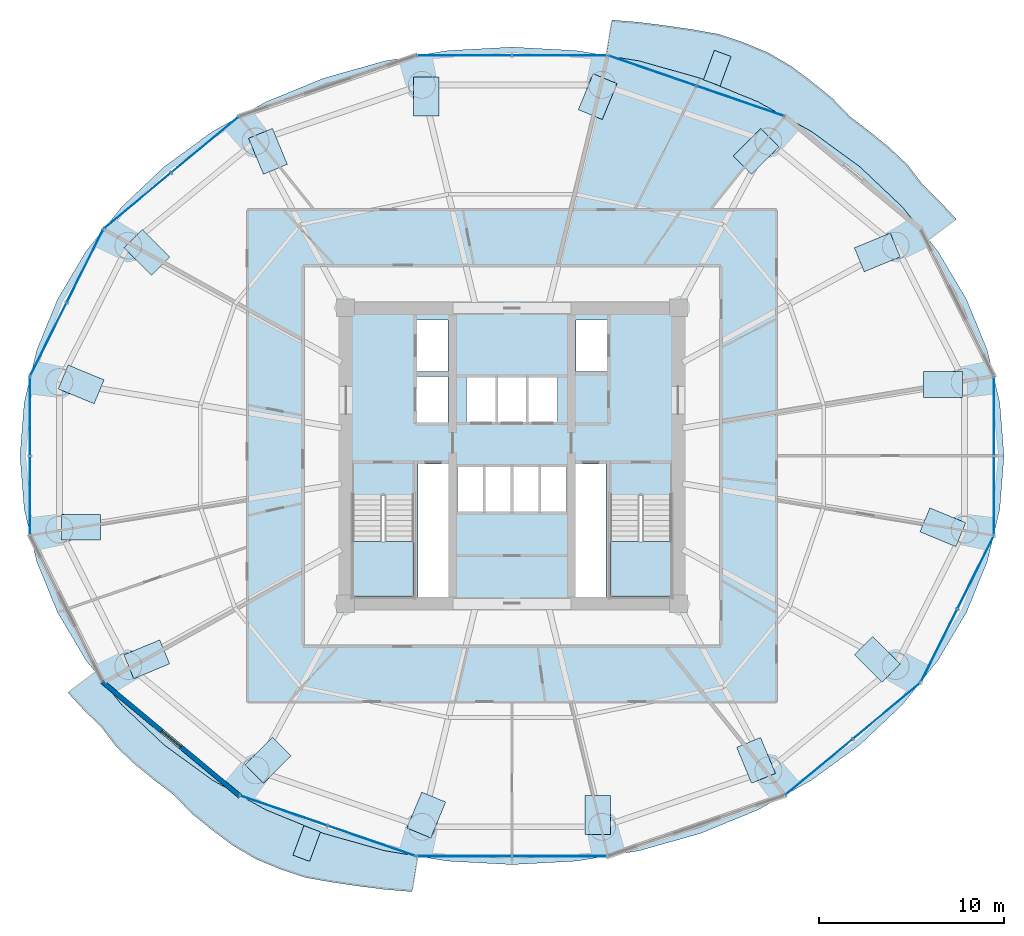
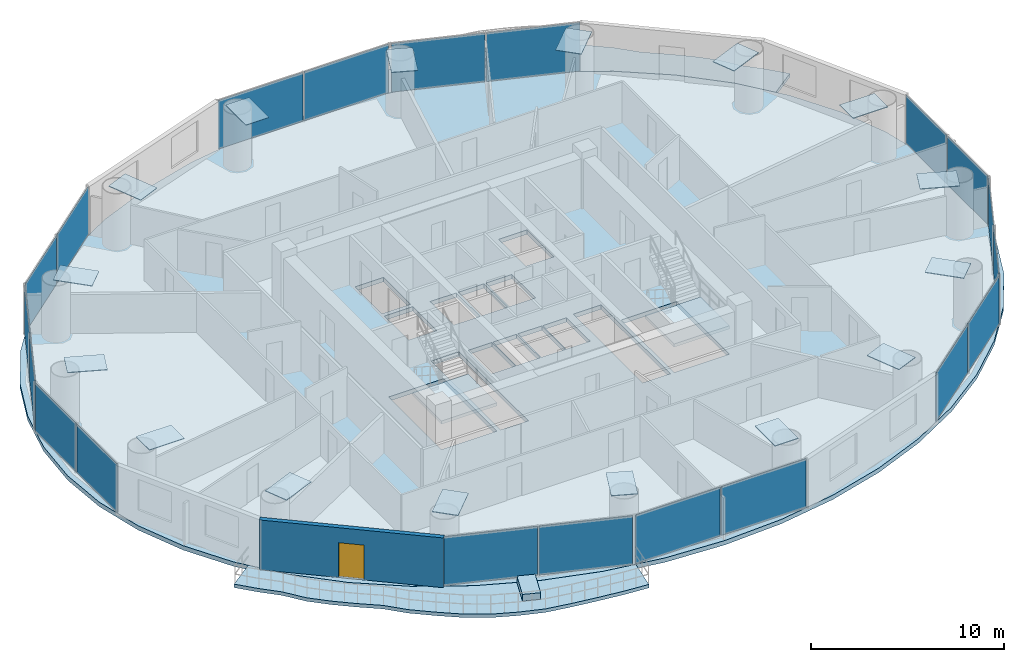
# One storey, part 21 of 29: 36 plates, 7 slabs, 1 door, 1 wall, 1 opening, 12 elements without a shape of their own.
"""IFC4 building model written with IfcOpenShell, lengths in metres."""

from ifc_helpers import new_model, si_unit, direction, frame, frame_2d, origin, origin_2d, place, context, subcontext, project, spatial, polyline, rectangle, outline, extrude, source, transform, mapped, material, layer, layer_set, type_object, element, fill, aggregate, save


model = new_model("IFC4")

# Units and contexts
model_context = context("Model", 3, precision=1e-05, world=origin(), true_north=direction((-0.2419218956, 0.970295726276)))
body_context = subcontext(model_context, "Body", "Model", "MODEL_VIEW")
ifc_project = project(units=[si_unit("LENGTHUNIT", "METRE"), si_unit("AREAUNIT", "SQUARE_METRE"), si_unit("VOLUMEUNIT", "CUBIC_METRE"), si_unit("PLANEANGLEUNIT", "RADIAN"), si_unit("MASSUNIT", "GRAM", prefix="KILO")], contexts=[model_context])

# Site, building, storey
site_placement = place(None, origin())
site = spatial("IfcSite", under=ifc_project, at=site_placement, CompositionType="ELEMENT")
building_placement = place(site_placement, origin())
building = spatial("IfcBuilding", under=site, at=building_placement, Name="Cobrevalo Terracotta Tower", CompositionType="ELEMENT")
storey_placement = place(building_placement, frame((0.0, 0.0, 126.60009765625)))
storey = spatial("IfcBuildingStorey", under=building, at=storey_placement, Name="L33", CompositionType="ELEMENT", Elevation=126.60009765625)

# Stair, slab
ifc_material_1 = material(Name="Concrete C50", Category="concrete")
stair_type = type_object("IfcStairType", Name="Core protected escape dogleg stair 1600", PredefinedType="HALF_TURN_STAIR", material=ifc_material_1)
stair_1_placement = place(storey_placement, origin())
stair_1 = element("IfcStair", 1, at=stair_1_placement, inside=storey, type_object=stair_type, Name="L33 Protected exit stair ST-1", PredefinedType="HALF_TURN_STAIR")
ifc_layer_1 = layer(ifc_material_1, 0.199951171875)
ifc_layer_set_1 = layer_set([ifc_layer_1], Name="Concrete C50")
slab_type_1 = type_object("IfcSlabType", Name="Reinforced Concrete Stair Landing 200", PredefinedType="LANDING", material=ifc_layer_set_1)
slab_1_placement = place(storey_placement, frame((0.0, 0.0, 1.599853515625)))
slab_1 = element("IfcSlab", 2, at=slab_1_placement, type_object=slab_type_1, Name="ST-1 landing 1", PredefinedType="LANDING", context=body_context, shape_type="SweptSolid", body=[
    extrude(outline(polyline([(29.375, 22.179931640625), (29.375, 19.175048828125), (32.695068359375, 19.175048828125), (32.695068359375, 22.179931640625), (29.375, 22.179931640625)])), origin(), (0.0, 0.0, 1.0), 0.199951171875),
])
aggregate(stair_1, [slab_1])

stair_2_placement = place(storey_placement, origin())
stair_2 = element("IfcStair", 3, at=stair_2_placement, inside=storey, type_object=stair_type, Name="L33 Protected exit stair ST-2", PredefinedType="HALF_TURN_STAIR")
slab_2_placement = place(storey_placement, frame((0.0, 0.0, 1.599853515625)))
slab_2 = element("IfcSlab", 4, at=slab_2_placement, type_object=slab_type_1, Name="ST-2 landing 1", PredefinedType="LANDING", context=body_context, shape_type="SweptSolid", body=[
    extrude(outline(polyline([(43.304931640625, 22.179931640625), (43.304931640625, 19.175048828125), (46.625, 19.175048828125), (46.625, 22.179931640625), (43.304931640625, 22.179931640625)])), origin(), (0.0, 0.0, 1.0), 0.199951171875),
])
aggregate(stair_2, [slab_2])

# Slabs
ifc_material_2 = material(Name="Concrete C45", Category="concrete")
ifc_layer_2 = layer(ifc_material_2, 0.219970703125)
ifc_layer_set_2 = layer_set([ifc_layer_2], Name="Concrete C45")
slab_type_2 = type_object("IfcSlabType", Name="Spiralling cantilevered balcony lobe slab 220 mm", PredefinedType="FLOOR", material=ifc_layer_set_2)
slab_3_placement = place(storey_placement, frame((0.0, 0.0, -0.22021484375)))
element("IfcSlab", 5, at=slab_3_placement, inside=storey, type_object=slab_type_2, Name="L33 spiralling arc balcony slab lobe 1", PredefinedType="FLOOR", context=body_context, shape_type="SweptSolid", body=[
    extrude(outline(polyline([(62.021728515625, 39.586181640625), (61.1376953125, 40.552978515625), (60.20166015625, 41.4609375), (59.392333984375, 42.528076171875), (58.423828125, 43.443359375), (57.383544921875, 44.2958984375), (56.299072265625, 45.1162109375), (55.330810546875, 46.1201171875), (54.232666015625, 47.013427734375), (53.091064453125, 47.869140625), (51.85693359375, 48.592041015625), (50.52490234375, 49.145751953125), (49.159423828125, 49.6005859375), (47.7197265625, 49.856689453125), (46.2802734375, 50.06396484375), (44.84765625, 50.24658203125), (43.40380859375, 50.3642578125), (43.092041015625, 48.4453125), (44.885009765625, 48.14892578125), (48.18017578125, 47.219482421875), (51.301025390625, 45.94091796875), (54.1943359375, 44.334716796875), (56.810546875, 42.428466796875), (59.104736328125, 40.2548828125), (60.537841796875, 38.472900390625), (62.021728515625, 39.586181640625)])), origin(), (0.0, 0.0, 1.0), 0.22021484375),
])
slab_4_placement = place(storey_placement, frame((0.0, 0.0, -0.22021484375)))
element("IfcSlab", 6, at=slab_4_placement, inside=storey, type_object=slab_type_2, Name="L33 spiralling arc balcony slab lobe 2", PredefinedType="FLOOR", context=body_context, shape_type="SweptSolid", body=[
    extrude(outline(polyline([(13.978271484375, 14.013671875), (14.8623046875, 13.047119140625), (15.79833984375, 12.13916015625), (16.607666015625, 11.072021484375), (17.576171875, 10.15673828125), (18.616455078125, 9.303955078125), (19.700927734375, 8.48388671875), (20.669189453125, 7.47998046875), (21.767333984375, 6.586669921875), (22.908935546875, 5.730712890625), (24.14306640625, 5.008056640625), (25.47509765625, 4.4541015625), (26.840576171875, 3.999267578125), (28.2802734375, 3.743408203125), (29.7197265625, 3.5361328125), (31.15234375, 3.353515625), (32.59619140625, 3.235595703125), (32.907958984375, 5.15478515625), (31.114990234375, 5.451171875), (27.81982421875, 6.38037109375), (24.698974609375, 7.6591796875), (21.8056640625, 9.265380859375), (19.189453125, 11.171630859375), (16.895263671875, 13.34521484375), (15.462158203125, 15.126953125), (13.978271484375, 14.013671875)])), origin(), (0.0, 0.0, 1.0), 0.22021484375),
])
ifc_material_3 = material(Name="Precast concrete C45", Category="concrete")
ifc_layer_3 = layer(ifc_material_3, 0.419921875)
ifc_layer_set_3 = layer_set([ifc_layer_3], Name="Precast concrete C45")
slab_type_3 = type_object("IfcSlabType", Name="Structural tree planter trough base 420 mm", PredefinedType="USERDEFINED", material=ifc_layer_set_3)
slab_5_placement = place(storey_placement, origin())
element("IfcSlab", 7, at=slab_5_placement, inside=storey, type_object=slab_type_3, Name="L33 structural tree planter trough 1", ObjectType="PLANTER", PredefinedType="USERDEFINED", context=body_context, shape_type="SweptSolid", body=[
    extrude(outline(polyline([(49.252685546875, 46.797119140625), (49.842041015625, 48.3916015625), (48.941650390625, 48.724609375), (48.352294921875, 47.1298828125), (49.252685546875, 46.797119140625)])), origin(), (0.0, 0.0, 1.0), 0.419921875),
])
slab_6_placement = place(storey_placement, origin())
element("IfcSlab", 8, at=slab_6_placement, inside=storey, type_object=slab_type_3, Name="L33 structural tree planter trough 2", ObjectType="PLANTER", PredefinedType="USERDEFINED", context=body_context, shape_type="SweptSolid", body=[
    extrude(outline(polyline([(26.747314453125, 6.802978515625), (26.157958984375, 5.208251953125), (27.058349609375, 4.87548828125), (27.647705078125, 6.469970703125), (26.747314453125, 6.802978515625)])), origin(), (0.0, 0.0, 1.0), 0.419921875),
])
ifc_layer_4 = layer(ifc_material_1, 0.27490234375)
ifc_layer_set_4 = layer_set([ifc_layer_4], Name="Concrete C50")
slab_type_4 = type_object("IfcSlabType", Name="Zone Z2 elliptical floor plate 275 mm", PredefinedType="FLOOR", material=ifc_layer_set_4)
slab_7_placement = place(storey_placement, frame((0.0, 0.0, -0.275146484375)))
element("IfcSlab", 9, at=slab_7_placement, inside=storey, type_object=slab_type_4, Name="L33 indoor elliptical floor slab", PredefinedType="FLOOR", context=body_context, shape_type="SweptSolid", body=[
    extrude(outline(polyline([(64.372314453125, 23.915283203125), (63.693603515625, 21.080078125), (62.5751953125, 18.3427734375), (61.036376953125, 15.75), (59.103271484375, 13.346435546875), (56.80908203125, 11.1728515625), (54.193115234375, 9.266845703125), (51.300048828125, 7.660888671875), (48.179443359375, 6.38232421875), (44.884521484375, 5.453125), (41.471923828125, 4.88916015625), (38.0, 4.699951171875), (34.528076171875, 4.88916015625), (31.115478515625, 5.453125), (27.820556640625, 6.38232421875), (24.699951171875, 7.660888671875), (21.806884765625, 9.266845703125), (19.19091796875, 11.1728515625), (16.896728515625, 13.346435546875), (14.963623046875, 15.75), (13.4248046875, 18.3427734375), (12.306396484375, 21.080078125), (11.627685546875, 23.915283203125), (11.39990234375, 26.800048828125), (11.627685546875, 29.6845703125), (12.306396484375, 32.52001953125), (13.4248046875, 35.25732421875), (14.963623046875, 37.85009765625), (16.896728515625, 40.253662109375), (19.19091796875, 42.427001953125), (21.806884765625, 44.3330078125), (24.699951171875, 45.939208984375), (27.820556640625, 47.2177734375), (31.115478515625, 48.14697265625), (34.528076171875, 48.7109375), (38.0, 48.89990234375), (41.471923828125, 48.7109375), (44.884521484375, 48.14697265625), (48.179443359375, 47.2177734375), (51.300048828125, 45.939208984375), (54.193115234375, 44.3330078125), (56.80908203125, 42.427001953125), (59.103271484375, 40.253662109375), (61.036376953125, 37.85009765625), (62.5751953125, 35.25732421875), (63.693603515625, 32.52001953125), (64.372314453125, 29.6845703125), (64.60009765625, 26.800048828125), (64.372314453125, 23.915283203125)]), holes=[polyline([(32.695068359375, 19.175048828125), (32.695068359375, 24.659912109375), (29.375, 24.659912109375), (29.375, 19.175048828125), (32.695068359375, 19.175048828125)]), polyline([(34.574951171875, 19.175048828125), (34.574951171875, 26.360107421875), (32.919921875, 26.360107421875), (32.919921875, 19.175048828125), (34.574951171875, 19.175048828125)]), polyline([(36.47998046875, 23.800048828125), (36.47998046875, 26.25), (35.050048828125, 26.25), (35.050048828125, 23.800048828125), (36.47998046875, 23.800048828125)]), polyline([(37.9599609375, 23.800048828125), (37.9599609375, 26.25), (36.530029296875, 26.25), (36.530029296875, 23.800048828125), (37.9599609375, 23.800048828125)]), polyline([(37.1201171875, 28.60009765625), (37.1201171875, 31.050048828125), (35.550048828125, 31.050048828125), (35.550048828125, 28.60009765625), (37.1201171875, 28.60009765625)]), polyline([(34.550048828125, 28.60009765625), (34.550048828125, 31.10009765625), (32.85009765625, 31.10009765625), (32.85009765625, 28.60009765625), (34.550048828125, 28.60009765625)]), polyline([(34.550048828125, 31.35009765625), (34.550048828125, 34.14990234375), (32.85009765625, 34.14990234375), (32.85009765625, 31.35009765625), (34.550048828125, 31.35009765625)]), polyline([(46.625, 19.175048828125), (46.625, 24.659912109375), (43.304931640625, 24.659912109375), (43.304931640625, 19.175048828125), (46.625, 19.175048828125)]), polyline([(43.080078125, 19.175048828125), (43.080078125, 26.360107421875), (41.425048828125, 26.360107421875), (41.425048828125, 19.175048828125), (43.080078125, 19.175048828125)]), polyline([(39.469970703125, 23.800048828125), (39.469970703125, 26.25), (38.0400390625, 26.25), (38.0400390625, 23.800048828125), (39.469970703125, 23.800048828125)]), polyline([(40.949951171875, 23.800048828125), (40.949951171875, 26.25), (39.52001953125, 26.25), (39.52001953125, 23.800048828125), (40.949951171875, 23.800048828125)]), polyline([(38.780029296875, 28.60009765625), (38.780029296875, 31.050048828125), (37.219970703125, 31.050048828125), (37.219970703125, 28.60009765625), (38.780029296875, 28.60009765625)]), polyline([(40.449951171875, 28.60009765625), (40.449951171875, 31.050048828125), (38.8798828125, 31.050048828125), (38.8798828125, 28.60009765625), (40.449951171875, 28.60009765625)]), polyline([(43.14990234375, 31.35009765625), (43.14990234375, 34.14990234375), (41.449951171875, 34.14990234375), (41.449951171875, 31.35009765625), (43.14990234375, 31.35009765625)])]), origin(), (0.0, 0.0, 1.0), 0.275146484375),
])

# Plates
ifc_material_4 = material(Name="Steel S355", Category="steel")
ifc_layer_5 = layer(ifc_material_4, 0.044921875)
ifc_layer_set_5 = layer_set([ifc_layer_5], Name="Steel S355")
plate_type_1 = type_object("IfcPlateType", Name="Structural Cap Plate 2100x1400x45 (Steel S355)", PredefinedType="USERDEFINED", material=ifc_layer_set_5)
shared_shape_1 = source(origin(), body_context, "Body", "SweptSolid", [
    extrude(rectangle(XDim=2.10009765625, YDim=1.39990234375, at=origin_2d()), origin(), (0.0, 0.0, 1.0), 0.044921875),
])
for number, where, z_axis, x_axis, name in (
    (10, (61.293701171875, 30.662841796875, 3.577392578125), (0.0, 0.0, 1.0), (1.0, 0.0, 0.0), "L33 hollow end cap plate CAP-MCT-L33-01"),
    (11, (57.747314453125, 37.80029296875, 3.577392578125), (0.0, 0.0, 1.0), (0.923879532511, 0.382683432365, 0.0), "L33 hollow end cap plate CAP-MCT-L33-02"),
    (12, (51.19482421875, 43.26318359375, 3.577392578125), (0.0, 0.0, 1.0), (0.707106781187, 0.707106781187, 0.0), "L33 hollow end cap plate CAP-MCT-L33-03"),
    (13, (42.63330078125, 46.219482421875, 3.577392578125), (0.0, 0.0, 1.0), (0.382683432365, 0.923879532511, 0.0), "L33 hollow end cap plate CAP-MCT-L33-04"),
    (14, (33.36669921875, 46.219482421875, 3.577392578125), (0.0, 0.0, 1.0), (0.0, 1.0, 0.0), "L33 hollow end cap plate CAP-MCT-L33-05"),
    (15, (24.80517578125, 43.26318359375, 3.577392578125), (0.0, 0.0, 1.0), (-0.382683432365, 0.923879532511, 0.0), "L33 hollow end cap plate CAP-MCT-L33-06"),
    (16, (18.252685546875, 37.80029296875, 3.577392578125), (0.0, 0.0, 1.0), (-0.707106781187, 0.707106781187, 0.0), "L33 hollow end cap plate CAP-MCT-L33-07"),
    (17, (14.706298828125, 30.662841796875, 3.577392578125), (0.0, 0.0, 1.0), (-0.923879532511, 0.382683432365, 0.0), "L33 hollow end cap plate CAP-MCT-L33-08"),
    (18, (14.706298828125, 22.937255859375, 3.577392578125), (0.0, 0.0, 1.0), (-1.0, 0.0, 0.0), "L33 hollow end cap plate CAP-MCT-L33-09"),
    (19, (18.252685546875, 15.7998046875, 3.577392578125), (0.0, 0.0, 1.0), (-0.923879532511, -0.382683432365, 0.0), "L33 hollow end cap plate CAP-MCT-L33-10"),
    (20, (24.80517578125, 10.3369140625, 3.577392578125), (0.0, 0.0, 1.0), (-0.707106781187, -0.707106781187, 0.0), "L33 hollow end cap plate CAP-MCT-L33-11"),
    (21, (33.36669921875, 7.38037109375, 3.577392578125), (0.0, 0.0, 1.0), (-0.382683432365, -0.923879532511, 0.0), "L33 hollow end cap plate CAP-MCT-L33-12"),
    (22, (42.63330078125, 7.38037109375, 3.577392578125), (0.0, 0.0, 1.0), (0.0, -1.0, 0.0), "L33 hollow end cap plate CAP-MCT-L33-13"),
    (23, (51.19482421875, 10.3369140625, 3.577392578125), (0.0, 0.0, 1.0), (0.382683432365, -0.923879532511, 0.0), "L33 hollow end cap plate CAP-MCT-L33-14"),
    (24, (57.747314453125, 15.7998046875, 3.577392578125), (0.0, 0.0, 1.0), (0.707106781187, -0.707106781187, 0.0), "L33 hollow end cap plate CAP-MCT-L33-15"),
    (25, (61.293701171875, 22.937255859375, 3.577392578125), (0.0, 0.0, 1.0), (0.923879532511, -0.382683432365, 0.0), "L33 hollow end cap plate CAP-MCT-L33-16"),
):
    element("IfcPlate", number, at=place(storey_placement, frame(where, z_axis=z_axis, x_axis=x_axis)), inside=storey, type_object=plate_type_1, Name=name, ObjectType="CAP PLATE", PredefinedType="USERDEFINED", context=body_context, shape_type="MappedRepresentation", body=[
        mapped(shared_shape_1, transform((0.0, 0.0, 0.0), scale=1.0)),
    ])

# Curtain wall, plates
ifc_material_5 = material(Name="Anodized aluminium", Category="aluminium")
curtain_wall_type = type_object("IfcCurtainWallType", Name="Lower-tower unitised acoustic low-E curtain wall CW-U1", PredefinedType="NOTDEFINED", material=ifc_material_5)
curtain_wall_1_placement = place(storey_placement, origin())
curtain_wall_1 = element("IfcCurtainWall", 26, at=curtain_wall_1_placement, inside=storey, type_object=curtain_wall_type, Name="L33 curtain wall CW-L33-S03", PredefinedType="NOTDEFINED")
ifc_material_6 = material(Name="Solar-control low-E double glazing", Category="glass")
ifc_layer_6 = layer(ifc_material_6, 0.028076171875)
ifc_layer_set_6 = layer_set([ifc_layer_6], Name="Solar-control low-E double glazing")
plate_type_2 = type_object("IfcPlateType", Name="Tower solar-control low-E vision glass panel 28 mm", PredefinedType="CURTAIN_PANEL", material=ifc_layer_set_6)
shared_shape_2 = source(origin(), body_context, "Body", "SweptSolid", [
    extrude(rectangle(XDim=4.944580078125, YDim=0.035888671875, at=origin_2d()), origin(), (0.0, 0.0, 1.0), 3.070068359375),
])
plate_1_placement = place(storey_placement, frame((50.34814453125, 45.98095703125, 0.0400390625), z_axis=(0.0, 0.0, 1.0), x_axis=(-0.945596395206, 0.325342062104, 0.0)))
plate_1 = element("IfcPlate", 27, at=plate_1_placement, type_object=plate_type_2, Name="CW-L33-S03 glazing panel B01", PredefinedType="CURTAIN_PANEL", context=body_context, shape_type="MappedRepresentation", body=[
    mapped(shared_shape_2, transform((0.0, 0.0, 0.0), scale=1.0)),
])
plate_2_placement = place(storey_placement, frame((45.596923828125, 47.615478515625, 0.0400390625), z_axis=(0.0, 0.0, 1.0), x_axis=(-0.945596395206, 0.325342062104, 0.0)))
plate_2 = element("IfcPlate", 28, at=plate_2_placement, type_object=plate_type_2, Name="CW-L33-S03 glazing panel B02", PredefinedType="CURTAIN_PANEL", context=body_context, shape_type="MappedRepresentation", body=[
    mapped(shared_shape_2, transform((0.0, 0.0, 0.0), scale=1.0)),
])
aggregate(curtain_wall_1, [plate_1, plate_2])

curtain_wall_2_placement = place(storey_placement, origin())
curtain_wall_2 = element("IfcCurtainWall", 29, at=curtain_wall_2_placement, inside=storey, type_object=curtain_wall_type, Name="L33 curtain wall CW-L33-S11", PredefinedType="NOTDEFINED")
plate_3_placement = place(storey_placement, frame((25.65185546875, 7.619140625, 0.0400390625), z_axis=(0.0, 0.0, 1.0), x_axis=(0.945596395206, -0.325342062104, 0.0)))
plate_3 = element("IfcPlate", 30, at=plate_3_placement, type_object=plate_type_2, Name="CW-L33-S11 glazing panel B01", PredefinedType="CURTAIN_PANEL", context=body_context, shape_type="MappedRepresentation", body=[
    mapped(shared_shape_2, transform((0.0, 0.0, 0.0), scale=1.0)),
])
plate_4_placement = place(storey_placement, frame((30.403076171875, 5.984375, 0.0400390625), z_axis=(0.0, 0.0, 1.0), x_axis=(0.945596395206, -0.325342062104, 0.0)))
plate_4 = element("IfcPlate", 31, at=plate_4_placement, type_object=plate_type_2, Name="CW-L33-S11 glazing panel B02", PredefinedType="CURTAIN_PANEL", context=body_context, shape_type="MappedRepresentation", body=[
    mapped(shared_shape_2, transform((0.0, 0.0, 0.0), scale=1.0)),
])
aggregate(curtain_wall_2, [plate_3, plate_4])

curtain_wall_3_placement = place(storey_placement, origin())
curtain_wall_3 = element("IfcCurtainWall", 32, at=curtain_wall_3_placement, inside=storey, type_object=curtain_wall_type, Name="L33 curtain wall CW-L33-S04", PredefinedType="NOTDEFINED")
shared_shape_3 = source(origin(), body_context, "Body", "SweptSolid", [
    extrude(rectangle(XDim=5.0634765625, YDim=0.035888671875, at=origin_2d()), origin(), (0.0, 0.0, 1.0), 3.070068359375),
])
plate_5_placement = place(storey_placement, frame((40.57177734375, 48.446044921875, 0.0400390625), z_axis=(0.0, 0.0, 1.0), x_axis=(-1.0, 0.0, 0.0)))
plate_5 = element("IfcPlate", 33, at=plate_5_placement, type_object=plate_type_2, Name="CW-L33-S04 glazing panel B01", PredefinedType="CURTAIN_PANEL", context=body_context, shape_type="MappedRepresentation", body=[
    mapped(shared_shape_3, transform((0.0, 0.0, 0.0), scale=1.0)),
])
plate_6_placement = place(storey_placement, frame((35.42822265625, 48.446044921875, 0.0400390625), z_axis=(0.0, 0.0, 1.0), x_axis=(-1.0, 0.0, 0.0)))
plate_6 = element("IfcPlate", 34, at=plate_6_placement, type_object=plate_type_2, Name="CW-L33-S04 glazing panel B02", PredefinedType="CURTAIN_PANEL", context=body_context, shape_type="MappedRepresentation", body=[
    mapped(shared_shape_3, transform((0.0, 0.0, 0.0), scale=1.0)),
])
aggregate(curtain_wall_3, [plate_5, plate_6])

curtain_wall_4_placement = place(storey_placement, origin())
curtain_wall_4 = element("IfcCurtainWall", 35, at=curtain_wall_4_placement, inside=storey, type_object=curtain_wall_type, Name="L33 curtain wall CW-L33-S12", PredefinedType="NOTDEFINED")
plate_7_placement = place(storey_placement, frame((35.42822265625, 5.154052734375, 0.0400390625), z_axis=(0.0, 0.0, 1.0), x_axis=(1.0, 0.0, 0.0)))
plate_7 = element("IfcPlate", 36, at=plate_7_placement, type_object=plate_type_2, Name="CW-L33-S12 glazing panel B01", PredefinedType="CURTAIN_PANEL", context=body_context, shape_type="MappedRepresentation", body=[
    mapped(shared_shape_3, transform((0.0, 0.0, 0.0), scale=1.0)),
])
plate_8_placement = place(storey_placement, frame((40.57177734375, 5.154052734375, 0.0400390625), z_axis=(0.0, 0.0, 1.0), x_axis=(1.0, 0.0, 0.0)))
plate_8 = element("IfcPlate", 37, at=plate_8_placement, type_object=plate_type_2, Name="CW-L33-S12 glazing panel B02", PredefinedType="CURTAIN_PANEL", context=body_context, shape_type="MappedRepresentation", body=[
    mapped(shared_shape_3, transform((0.0, 0.0, 0.0), scale=1.0)),
])
aggregate(curtain_wall_4, [plate_7, plate_8])

curtain_wall_5_placement = place(storey_placement, origin())
curtain_wall_5 = element("IfcCurtainWall", 38, at=curtain_wall_5_placement, inside=storey, type_object=curtain_wall_type, Name="L33 curtain wall CW-L33-S06", PredefinedType="NOTDEFINED")
shared_shape_4 = source(origin(), body_context, "Body", "SweptSolid", [
    extrude(rectangle(XDim=4.64501953125, YDim=0.035888671875, at=origin_2d()), origin(), (0.0, 0.0, 1.0), 3.070068359375),
])
plate_9_placement = place(storey_placement, frame((21.390380859375, 43.615478515625, 0.0400390625), z_axis=(0.0, 0.0, 1.0), x_axis=(-0.769241221277, -0.638958483384, 0.0)))
plate_9 = element("IfcPlate", 39, at=plate_9_placement, type_object=plate_type_2, Name="CW-L33-S06 glazing panel B01", PredefinedType="CURTAIN_PANEL", context=body_context, shape_type="MappedRepresentation", body=[
    mapped(shared_shape_4, transform((0.0, 0.0, 0.0), scale=1.0)),
])
plate_10_placement = place(storey_placement, frame((17.755859375, 40.596435546875, 0.0400390625), z_axis=(0.0, 0.0, 1.0), x_axis=(-0.769241221277, -0.638958483384, 0.0)))
plate_10 = element("IfcPlate", 40, at=plate_10_placement, type_object=plate_type_2, Name="CW-L33-S06 glazing panel B02", PredefinedType="CURTAIN_PANEL", context=body_context, shape_type="MappedRepresentation", body=[
    mapped(shared_shape_4, transform((0.0, 0.0, 0.0), scale=1.0)),
])
aggregate(curtain_wall_5, [plate_9, plate_10])

curtain_wall_6_placement = place(storey_placement, origin())
curtain_wall_6 = element("IfcCurtainWall", 41, at=curtain_wall_6_placement, inside=storey, type_object=curtain_wall_type, Name="L33 curtain wall CW-L33-S14", PredefinedType="NOTDEFINED")
plate_11_placement = place(storey_placement, frame((54.609619140625, 9.984619140625, 0.0400390625), z_axis=(0.0, 0.0, 1.0), x_axis=(0.769241221277, 0.638958483384, 0.0)))
plate_11 = element("IfcPlate", 42, at=plate_11_placement, type_object=plate_type_2, Name="CW-L33-S14 glazing panel B01", PredefinedType="CURTAIN_PANEL", context=body_context, shape_type="MappedRepresentation", body=[
    mapped(shared_shape_4, transform((0.0, 0.0, 0.0), scale=1.0)),
])
plate_12_placement = place(storey_placement, frame((58.244140625, 13.00341796875, 0.0400390625), z_axis=(0.0, 0.0, 1.0), x_axis=(0.769241221277, 0.638958483384, 0.0)))
plate_12 = element("IfcPlate", 43, at=plate_12_placement, type_object=plate_type_2, Name="CW-L33-S14 glazing panel B02", PredefinedType="CURTAIN_PANEL", context=body_context, shape_type="MappedRepresentation", body=[
    mapped(shared_shape_4, transform((0.0, 0.0, 0.0), scale=1.0)),
])
aggregate(curtain_wall_6, [plate_11, plate_12])

curtain_wall_7_placement = place(storey_placement, origin())
curtain_wall_7 = element("IfcCurtainWall", 44, at=curtain_wall_7_placement, inside=storey, type_object=curtain_wall_type, Name="L33 curtain wall CW-L33-S07", PredefinedType="NOTDEFINED")
shared_shape_5 = source(origin(), body_context, "Body", "SweptSolid", [
    extrude(rectangle(XDim=4.3251953125, YDim=0.035888671875, at=origin_2d()), origin(), (0.0, 0.0, 1.0), 3.070068359375),
])
plate_13_placement = place(storey_placement, frame((14.906982421875, 37.0546875, 0.0400390625), z_axis=(0.0, 0.0, 1.0), x_axis=(-0.446261852127, -0.894902430065, 0.0)))
plate_13 = element("IfcPlate", 45, at=plate_13_placement, type_object=plate_type_2, Name="CW-L33-S07 glazing panel B01", PredefinedType="CURTAIN_PANEL", context=body_context, shape_type="MappedRepresentation", body=[
    mapped(shared_shape_5, transform((0.0, 0.0, 0.0), scale=1.0)),
])
plate_14_placement = place(storey_placement, frame((12.94140625, 33.112548828125, 0.0400390625), z_axis=(0.0, 0.0, 1.0), x_axis=(-0.446261852127, -0.894902430065, 0.0)))
plate_14 = element("IfcPlate", 46, at=plate_14_placement, type_object=plate_type_2, Name="CW-L33-S07 glazing panel B02", PredefinedType="CURTAIN_PANEL", context=body_context, shape_type="MappedRepresentation", body=[
    mapped(shared_shape_5, transform((0.0, 0.0, 0.0), scale=1.0)),
])
aggregate(curtain_wall_7, [plate_13, plate_14])

curtain_wall_8_placement = place(storey_placement, origin())
curtain_wall_8 = element("IfcCurtainWall", 47, at=curtain_wall_8_placement, inside=storey, type_object=curtain_wall_type, Name="L33 curtain wall CW-L33-S15", PredefinedType="NOTDEFINED")
plate_15_placement = place(storey_placement, frame((61.093017578125, 16.54541015625, 0.0400390625), z_axis=(0.0, 0.0, 1.0), x_axis=(0.446261852127, 0.894902430065, 0.0)))
plate_15 = element("IfcPlate", 48, at=plate_15_placement, type_object=plate_type_2, Name="CW-L33-S15 glazing panel B01", PredefinedType="CURTAIN_PANEL", context=body_context, shape_type="MappedRepresentation", body=[
    mapped(shared_shape_5, transform((0.0, 0.0, 0.0), scale=1.0)),
])
plate_16_placement = place(storey_placement, frame((63.05859375, 20.487548828125, 0.0400390625), z_axis=(0.0, 0.0, 1.0), x_axis=(0.446261852127, 0.894902430065, 0.0)))
plate_16 = element("IfcPlate", 49, at=plate_16_placement, type_object=plate_type_2, Name="CW-L33-S15 glazing panel B02", PredefinedType="CURTAIN_PANEL", context=body_context, shape_type="MappedRepresentation", body=[
    mapped(shared_shape_5, transform((0.0, 0.0, 0.0), scale=1.0)),
])
aggregate(curtain_wall_8, [plate_15, plate_16])

curtain_wall_9_placement = place(storey_placement, origin())
curtain_wall_9 = element("IfcCurtainWall", 50, at=curtain_wall_9_placement, inside=storey, type_object=curtain_wall_type, Name="L33 curtain wall CW-L33-S08", PredefinedType="NOTDEFINED")
shared_shape_6 = source(origin(), body_context, "Body", "SweptSolid", [
    extrude(rectangle(XDim=4.185546875, YDim=0.035888671875, at=origin_2d()), origin(), (0.0, 0.0, 1.0), 3.070068359375),
])
plate_17_placement = place(storey_placement, frame((11.9404296875, 28.932861328125, 0.0400390625), z_axis=(0.0, 0.0, 1.0), x_axis=(0.0, -1.0, 0.0)))
plate_17 = element("IfcPlate", 51, at=plate_17_placement, type_object=plate_type_2, Name="CW-L33-S08 glazing panel B01", PredefinedType="CURTAIN_PANEL", context=body_context, shape_type="MappedRepresentation", body=[
    mapped(shared_shape_6, transform((0.0, 0.0, 0.0), scale=1.0)),
])
plate_18_placement = place(storey_placement, frame((11.9404296875, 24.667236328125, 0.0400390625), z_axis=(0.0, 0.0, 1.0), x_axis=(0.0, -1.0, 0.0)))
plate_18 = element("IfcPlate", 52, at=plate_18_placement, type_object=plate_type_2, Name="CW-L33-S08 glazing panel B02", PredefinedType="CURTAIN_PANEL", context=body_context, shape_type="MappedRepresentation", body=[
    mapped(shared_shape_6, transform((0.0, 0.0, 0.0), scale=1.0)),
])
aggregate(curtain_wall_9, [plate_17, plate_18])

curtain_wall_10_placement = place(storey_placement, origin())
curtain_wall_10 = element("IfcCurtainWall", 53, at=curtain_wall_10_placement, inside=storey, type_object=curtain_wall_type, Name="L33 curtain wall CW-L33-S16", PredefinedType="NOTDEFINED")
plate_19_placement = place(storey_placement, frame((64.0595703125, 24.667236328125, 0.0400390625), z_axis=(0.0, 0.0, 1.0), x_axis=(0.0, 1.0, 0.0)))
plate_19 = element("IfcPlate", 54, at=plate_19_placement, type_object=plate_type_2, Name="CW-L33-S16 glazing panel B01", PredefinedType="CURTAIN_PANEL", context=body_context, shape_type="MappedRepresentation", body=[
    mapped(shared_shape_6, transform((0.0, 0.0, 0.0), scale=1.0)),
])
plate_20_placement = place(storey_placement, frame((64.0595703125, 28.932861328125, 0.0400390625), z_axis=(0.0, 0.0, 1.0), x_axis=(0.0, 1.0, 0.0)))
plate_20 = element("IfcPlate", 55, at=plate_20_placement, type_object=plate_type_2, Name="CW-L33-S16 glazing panel B02", PredefinedType="CURTAIN_PANEL", context=body_context, shape_type="MappedRepresentation", body=[
    mapped(shared_shape_6, transform((0.0, 0.0, 0.0), scale=1.0)),
])
aggregate(curtain_wall_10, [plate_19, plate_20])

# Wall, opening, door
ifc_material_7 = material(Name="Autoclaved aerated concrete block", Category="concrete")
ifc_layer_7 = layer(ifc_material_7, 0.260009765625)
ifc_layer_set_7 = layer_set([ifc_layer_7], Name="Autoclaved aerated concrete block")
wall_type = type_object("IfcWallType", Name="Recessed balcony loggia insulated exterior wall 260 mm", PredefinedType="SOLIDWALL", material=ifc_layer_set_7)
wall_placement = place(storey_placement, frame((15.84619140625, 14.589599609375, 0.0), z_axis=(0.0, 0.0, 1.0), x_axis=(0.769254958887, -0.638941944333, 0.0)))
wall = element("IfcWall", 56, at=wall_placement, inside=storey, type_object=wall_type, Name="L33 balcony loggia wall S10", PredefinedType="SOLIDWALL", context=body_context, shape_type="SweptSolid", body=[
    extrude(rectangle(XDim=9.689697265625, YDim=0.260009765625, at=frame_2d((4.8447265625, 0.0))), origin(), (0.0, 0.0, 1.0), 3.14990234375),
])
opening_placement = place(wall_placement, frame((4.169921875, 0.0, 0.0)))
opening = element("IfcOpeningElement", 57, at=opening_placement, cuts=wall, Name="Opening ED-05", PredefinedType="OPENING", context=body_context, shape_type="SweptSolid", body=[
    extrude(rectangle(XDim=1.35009765625, YDim=2.199951171875, at=frame_2d((0.675048828125, 1.10009765625))), frame((0.0, 0.14013671875, 0.0), z_axis=(0.0, -1.0, 0.0), x_axis=(1.0, 0.0, 0.0)), (0.0, 0.0, 1.0), 0.280029296875),
])
ifc_material_8 = material(Name="Anodized aluminium and laminated glass", Category="aluminium")
door_type = type_object("IfcDoorType", Name="Suite balcony acoustic glazed terrace door 1350x2200", OperationType="NOTDEFINED", PredefinedType="DOOR", material=ifc_material_8)
shared_shape_7 = source(origin(), body_context, "Body", "SweptSolid", [
    extrude(rectangle(XDim=1.35009765625, YDim=2.199951171875, at=frame_2d((0.675048828125, 1.10009765625))), frame((0.0, 0.02490234375, 0.0), z_axis=(0.0, -1.0, 0.0), x_axis=(1.0, 0.0, 0.0)), (0.0, 0.0, 1.0), 0.050048828125),
])
door_placement = place(opening_placement, frame((1.35009765625, 0.0, 0.0), z_axis=(0.0, 0.0, 1.0), x_axis=(-1.0, 0.0, 0.0)))
door = element("IfcDoor", 58, at=door_placement, inside=storey, type_object=door_type, Name="L33 glazed balcony terrace door 2", OperationType="SINGLE_SWING_RIGHT", OverallHeight=2.199951171875, OverallWidth=1.35009765625, PredefinedType="DOOR", context=body_context, shape_type="MappedRepresentation", body=[
    mapped(shared_shape_7, transform((0.0, 0.0, 0.0), scale=1.0)),
])
fill(opening, door)

save(model, "model.ifc")
